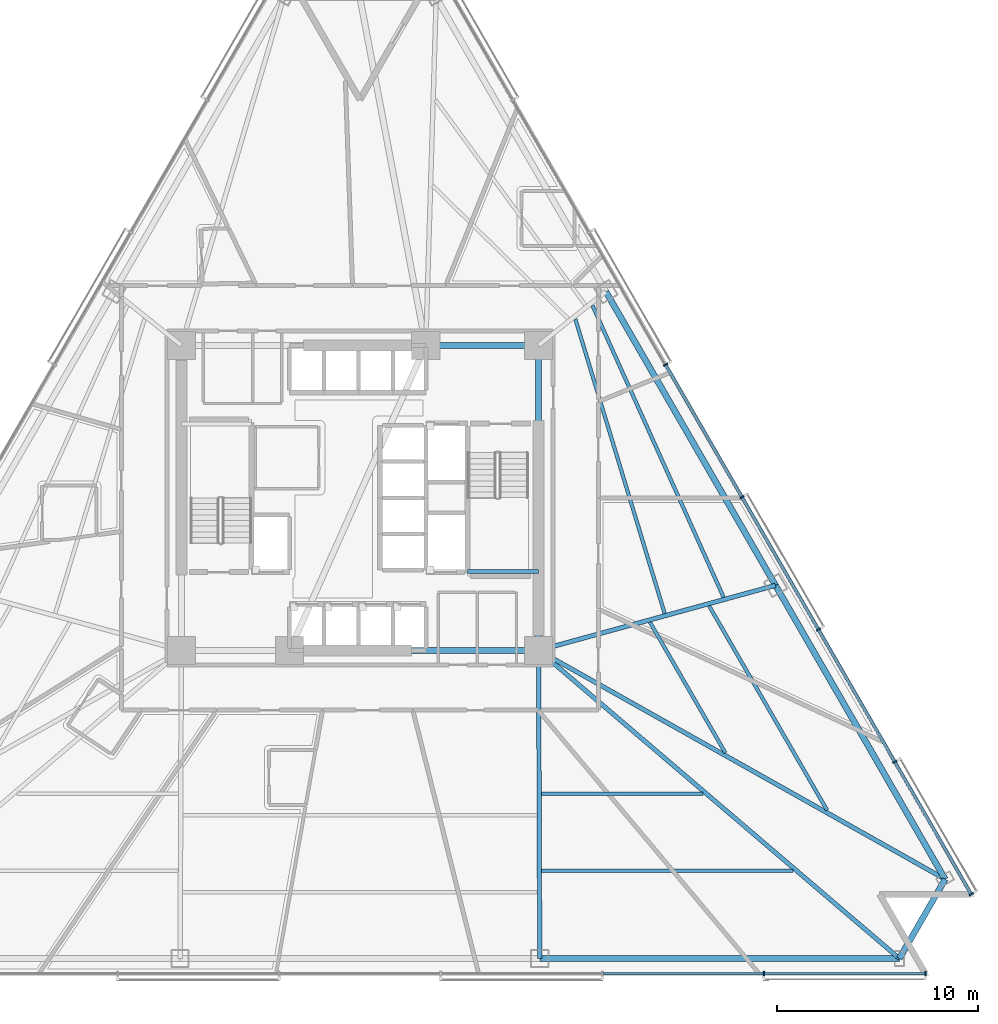
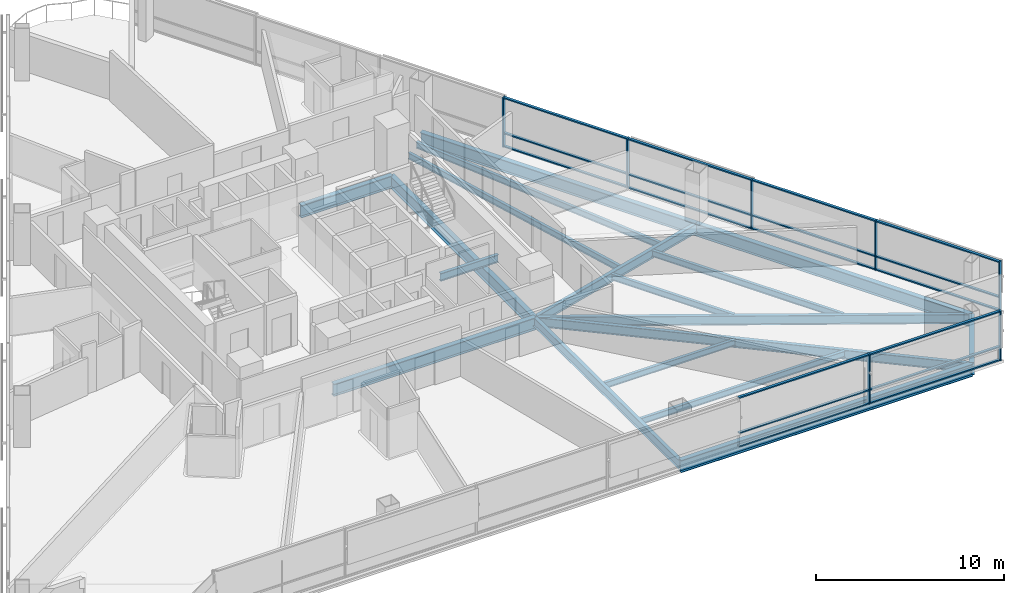
# One storey, part 4 of 16: 25 members, 18 beams, 2 elements without a shape of their own.
"""IFC4 building model written with IfcOpenShell, lengths in metres."""

from ifc_helpers import new_model, si_unit, direction, frame, origin, origin_2d, place, context, subcontext, project, spatial, rectangle, i_section, extrude, material, layer, layer_set, material_profile, profile_set, type_object, element, aggregate, save


model = new_model("IFC4")

# Units and contexts
model_context = context("Model", 3, precision=1e-05, world=origin(), true_north=direction((0.0, 1.0)))
body_context = subcontext(model_context, "Body", "Model", "MODEL_VIEW")
ifc_project = project(units=[si_unit("LENGTHUNIT", "METRE"), si_unit("AREAUNIT", "SQUARE_METRE"), si_unit("VOLUMEUNIT", "CUBIC_METRE"), si_unit("PLANEANGLEUNIT", "RADIAN"), si_unit("MASSUNIT", "GRAM", prefix="KILO")], contexts=[model_context])

# Site, building, storey
site_placement = place(None, origin())
site = spatial("IfcSite", under=ifc_project, at=site_placement, CompositionType="ELEMENT")
building_placement = place(site_placement, origin())
building = spatial("IfcBuilding", under=site, at=building_placement, Name="Tharavind Bronze Gate", CompositionType="ELEMENT")
storey_placement = place(building_placement, frame((0.0, 0.0, 42.050048828125)))
storey = spatial("IfcBuildingStorey", under=building, at=storey_placement, Name="L09", CompositionType="ELEMENT", Elevation=42.050048828125)

# Curtain wall, members
ifc_material_1 = material(Name="Anodised Bronze Aluminium", Category="aluminium")
ifc_layer = layer(ifc_material_1, 0.219970703125)
ifc_layer_set = layer_set([ifc_layer], Name="Anodised Bronze Aluminium")
curtain_wall_type = type_object("IfcCurtainWallType", Name="UNITISED CURTAIN WALL HOTEL", PredefinedType="USERDEFINED", material=ifc_layer_set)
curtain_wall_1_placement = place(storey_placement, origin())
curtain_wall_1 = element("IfcCurtainWall", 1, at=curtain_wall_1_placement, inside=storey, type_object=curtain_wall_type, Name="L09 unitised curtain wall hotel CW-L09-S2", ObjectType="UNITISED CURTAIN WALL", PredefinedType="USERDEFINED")
member_type_1 = type_object("IfcMemberType", Name="CURTAIN WALL MULLION 80X220", PredefinedType="MULLION", material=ifc_material_1)
member_1_placement = place(storey_placement, frame((20.12548828125, -23.699951171875, 0.0), z_axis=(0.0, 0.0, 1.0), x_axis=(1.0, 0.0, 0.0)))
member_1 = element("IfcMember", 2, at=member_1_placement, type_object=member_type_1, Name="CW-L09-S2 mullion 7", PredefinedType="MULLION", context=body_context, shape_type="SweptSolid", body=[
    extrude(rectangle(XDim=0.080078125, YDim=0.219970703125, at=origin_2d()), origin(), (0.0, 0.0, 1.0), 3.22509765625),
])
member_2_placement = place(storey_placement, frame((28.17578125, -23.699951171875, 0.0), z_axis=(0.0, 0.0, 1.0), x_axis=(1.0, 0.0, 0.0)))
member_2 = element("IfcMember", 3, at=member_2_placement, type_object=member_type_1, Name="CW-L09-S2 mullion 8", PredefinedType="MULLION", context=body_context, shape_type="SweptSolid", body=[
    extrude(rectangle(XDim=0.080078125, YDim=0.219970703125, at=origin_2d()), origin(), (0.0, 0.0, 1.0), 3.22509765625),
])

curtain_wall_2_placement = place(storey_placement, origin())
curtain_wall_2 = element("IfcCurtainWall", 4, at=curtain_wall_2_placement, inside=storey, type_object=curtain_wall_type, Name="L09 unitised curtain wall hotel CW-L09-S3", ObjectType="UNITISED CURTAIN WALL", PredefinedType="USERDEFINED")
member_3_placement = place(storey_placement, frame((30.455810546875, -19.7509765625, 0.0), z_axis=(0.0, 0.0, 1.0), x_axis=(-0.500001511499, 0.866024531118, 0.0)))
member_3 = element("IfcMember", 5, at=member_3_placement, type_object=member_type_1, Name="CW-L09-S3 mullion 1", PredefinedType="MULLION", context=body_context, shape_type="SweptSolid", body=[
    extrude(rectangle(XDim=0.080078125, YDim=0.219970703125, at=origin_2d()), origin(), (0.0, 0.0, 1.0), 3.22509765625),
])
member_4_placement = place(storey_placement, frame((26.647705078125, -13.1552734375, 0.0), z_axis=(0.0, 0.0, 1.0), x_axis=(-0.500001511499, 0.866024531118, 0.0)))
member_4 = element("IfcMember", 6, at=member_4_placement, type_object=member_type_1, Name="CW-L09-S3 mullion 2", PredefinedType="MULLION", context=body_context, shape_type="SweptSolid", body=[
    extrude(rectangle(XDim=0.080078125, YDim=0.219970703125, at=origin_2d()), origin(), (0.0, 0.0, 1.0), 3.22509765625),
])
member_5_placement = place(storey_placement, frame((22.83984375, -6.559814453125, 0.0), z_axis=(0.0, 0.0, 1.0), x_axis=(-0.500001511499, 0.866024531118, 0.0)))
member_5 = element("IfcMember", 7, at=member_5_placement, type_object=member_type_1, Name="CW-L09-S3 mullion 3", PredefinedType="MULLION", context=body_context, shape_type="SweptSolid", body=[
    extrude(rectangle(XDim=0.080078125, YDim=0.219970703125, at=origin_2d()), origin(), (0.0, 0.0, 1.0), 3.22509765625),
])
member_6_placement = place(storey_placement, frame((19.031982421875, 0.035888671875, 0.0), z_axis=(0.0, 0.0, 1.0), x_axis=(-0.500001511499, 0.866024531118, 0.0)))
member_6 = element("IfcMember", 8, at=member_6_placement, type_object=member_type_1, Name="CW-L09-S3 mullion 4", PredefinedType="MULLION", context=body_context, shape_type="SweptSolid", body=[
    extrude(rectangle(XDim=0.080078125, YDim=0.219970703125, at=origin_2d()), origin(), (0.0, 0.0, 1.0), 3.22509765625),
])
member_7_placement = place(storey_placement, frame((15.223876953125, 6.63134765625, 0.0), z_axis=(0.0, 0.0, 1.0), x_axis=(-0.500001511499, 0.866024531118, 0.0)))
member_7 = element("IfcMember", 9, at=member_7_placement, type_object=member_type_1, Name="CW-L09-S3 mullion 5", PredefinedType="MULLION", context=body_context, shape_type="SweptSolid", body=[
    extrude(rectangle(XDim=0.080078125, YDim=0.219970703125, at=origin_2d()), origin(), (0.0, 0.0, 1.0), 3.22509765625),
])

# Member
member_type_2 = type_object("IfcMemberType", Name="CURTAIN WALL TRANSOM 80X160", PredefinedType="USERDEFINED", material=ifc_material_1)
member_8_placement = place(storey_placement, frame((16.1005859375, -23.699951171875, 0.0), z_axis=(0.0, 0.0, 1.0), x_axis=(1.0, 0.0, 0.0)))
member_8 = element("IfcMember", 10, at=member_8_placement, type_object=member_type_2, Name="CW-L09-S2 transom TB6", ObjectType="TRANSOM", PredefinedType="USERDEFINED", context=body_context, shape_type="SweptSolid", body=[
    extrude(rectangle(XDim=7.982177734375, YDim=0.159912109375, at=origin_2d()), origin(), (0.0, 0.0, 1.0), 0.080078125),
])

member_9_placement = place(storey_placement, frame((16.1005859375, -23.699951171875, 0.85986328125), z_axis=(0.0, 0.0, 1.0), x_axis=(1.0, 0.0, 0.0)))
member_9 = element("IfcMember", 11, at=member_9_placement, type_object=member_type_2, Name="CW-L09-S2 transom TS6", ObjectType="TRANSOM", PredefinedType="USERDEFINED", context=body_context, shape_type="SweptSolid", body=[
    extrude(rectangle(XDim=7.982177734375, YDim=0.159912109375, at=origin_2d()), origin(), (0.0, 0.0, 1.0), 0.080078125),
])

member_10_placement = place(storey_placement, frame((16.1005859375, -23.699951171875, 3.14501953125), z_axis=(0.0, 0.0, 1.0), x_axis=(1.0, 0.0, 0.0)))
member_10 = element("IfcMember", 12, at=member_10_placement, type_object=member_type_2, Name="CW-L09-S2 transom TT6", ObjectType="TRANSOM", PredefinedType="USERDEFINED", context=body_context, shape_type="SweptSolid", body=[
    extrude(rectangle(XDim=7.982177734375, YDim=0.159912109375, at=origin_2d()), origin(), (0.0, 0.0, 1.0), 0.080078125),
])

member_11_placement = place(storey_placement, frame((24.150634765625, -23.699951171875, 0.0), z_axis=(0.0, 0.0, 1.0), x_axis=(1.0, 0.0, 0.0)))
member_11 = element("IfcMember", 13, at=member_11_placement, type_object=member_type_2, Name="CW-L09-S2 transom TB7", ObjectType="TRANSOM", PredefinedType="USERDEFINED", context=body_context, shape_type="SweptSolid", body=[
    extrude(rectangle(XDim=7.982177734375, YDim=0.159912109375, at=origin_2d()), origin(), (0.0, 0.0, 1.0), 0.080078125),
])

member_12_placement = place(storey_placement, frame((24.150634765625, -23.699951171875, 0.85986328125), z_axis=(0.0, 0.0, 1.0), x_axis=(1.0, 0.0, 0.0)))
member_12 = element("IfcMember", 14, at=member_12_placement, type_object=member_type_2, Name="CW-L09-S2 transom TS7", ObjectType="TRANSOM", PredefinedType="USERDEFINED", context=body_context, shape_type="SweptSolid", body=[
    extrude(rectangle(XDim=7.982177734375, YDim=0.159912109375, at=origin_2d()), origin(), (0.0, 0.0, 1.0), 0.080078125),
])

member_13_placement = place(storey_placement, frame((24.150634765625, -23.699951171875, 3.14501953125), z_axis=(0.0, 0.0, 1.0), x_axis=(1.0, 0.0, 0.0)))
member_13 = element("IfcMember", 15, at=member_13_placement, type_object=member_type_2, Name="CW-L09-S2 transom TT7", ObjectType="TRANSOM", PredefinedType="USERDEFINED", context=body_context, shape_type="SweptSolid", body=[
    extrude(rectangle(XDim=7.982177734375, YDim=0.159912109375, at=origin_2d()), origin(), (0.0, 0.0, 1.0), 0.080078125),
])

aggregate(curtain_wall_1, [member_1, member_2, member_8, member_9, member_10, member_11, member_12, member_13])

member_14_placement = place(storey_placement, frame((28.5517578125, -16.453125, 0.0), z_axis=(0.0, 0.0, 1.0), x_axis=(-0.500001511499, 0.866024531118, 0.0)))
member_14 = element("IfcMember", 16, at=member_14_placement, type_object=member_type_2, Name="CW-L09-S3 transom TB1", ObjectType="TRANSOM", PredefinedType="USERDEFINED", context=body_context, shape_type="SweptSolid", body=[
    extrude(rectangle(XDim=7.5478515625, YDim=0.159912109375, at=origin_2d()), origin(), (0.0, 0.0, 1.0), 0.080078125),
])

member_15_placement = place(storey_placement, frame((28.5517578125, -16.453125, 0.85986328125), z_axis=(0.0, 0.0, 1.0), x_axis=(-0.500001511499, 0.866024531118, 0.0)))
member_15 = element("IfcMember", 17, at=member_15_placement, type_object=member_type_2, Name="CW-L09-S3 transom TS1", ObjectType="TRANSOM", PredefinedType="USERDEFINED", context=body_context, shape_type="SweptSolid", body=[
    extrude(rectangle(XDim=7.5478515625, YDim=0.159912109375, at=origin_2d()), origin(), (0.0, 0.0, 1.0), 0.080078125),
])

member_16_placement = place(storey_placement, frame((28.5517578125, -16.453125, 3.14501953125), z_axis=(0.0, 0.0, 1.0), x_axis=(-0.500001511499, 0.866024531118, 0.0)))
member_16 = element("IfcMember", 18, at=member_16_placement, type_object=member_type_2, Name="CW-L09-S3 transom TT1", ObjectType="TRANSOM", PredefinedType="USERDEFINED", context=body_context, shape_type="SweptSolid", body=[
    extrude(rectangle(XDim=7.5478515625, YDim=0.159912109375, at=origin_2d()), origin(), (0.0, 0.0, 1.0), 0.080078125),
])

member_17_placement = place(storey_placement, frame((24.743896484375, -9.857421875, 0.0), z_axis=(0.0, 0.0, 1.0), x_axis=(-0.500001511499, 0.866024531118, 0.0)))
member_17 = element("IfcMember", 19, at=member_17_placement, type_object=member_type_2, Name="CW-L09-S3 transom TB2", ObjectType="TRANSOM", PredefinedType="USERDEFINED", context=body_context, shape_type="SweptSolid", body=[
    extrude(rectangle(XDim=7.5478515625, YDim=0.159912109375, at=origin_2d()), origin(), (0.0, 0.0, 1.0), 0.080078125),
])

member_18_placement = place(storey_placement, frame((24.743896484375, -9.857421875, 0.85986328125), z_axis=(0.0, 0.0, 1.0), x_axis=(-0.500001511499, 0.866024531118, 0.0)))
member_18 = element("IfcMember", 20, at=member_18_placement, type_object=member_type_2, Name="CW-L09-S3 transom TS2", ObjectType="TRANSOM", PredefinedType="USERDEFINED", context=body_context, shape_type="SweptSolid", body=[
    extrude(rectangle(XDim=7.5478515625, YDim=0.159912109375, at=origin_2d()), origin(), (0.0, 0.0, 1.0), 0.080078125),
])

member_19_placement = place(storey_placement, frame((24.743896484375, -9.857421875, 3.14501953125), z_axis=(0.0, 0.0, 1.0), x_axis=(-0.500001511499, 0.866024531118, 0.0)))
member_19 = element("IfcMember", 21, at=member_19_placement, type_object=member_type_2, Name="CW-L09-S3 transom TT2", ObjectType="TRANSOM", PredefinedType="USERDEFINED", context=body_context, shape_type="SweptSolid", body=[
    extrude(rectangle(XDim=7.5478515625, YDim=0.159912109375, at=origin_2d()), origin(), (0.0, 0.0, 1.0), 0.080078125),
])

member_20_placement = place(storey_placement, frame((20.935791015625, -3.261962890625, 0.0), z_axis=(0.0, 0.0, 1.0), x_axis=(-0.500001511499, 0.866024531118, 0.0)))
member_20 = element("IfcMember", 22, at=member_20_placement, type_object=member_type_2, Name="CW-L09-S3 transom TB3", ObjectType="TRANSOM", PredefinedType="USERDEFINED", context=body_context, shape_type="SweptSolid", body=[
    extrude(rectangle(XDim=7.5478515625, YDim=0.159912109375, at=origin_2d()), origin(), (0.0, 0.0, 1.0), 0.080078125),
])

member_21_placement = place(storey_placement, frame((20.935791015625, -3.261962890625, 0.85986328125), z_axis=(0.0, 0.0, 1.0), x_axis=(-0.500001511499, 0.866024531118, 0.0)))
member_21 = element("IfcMember", 23, at=member_21_placement, type_object=member_type_2, Name="CW-L09-S3 transom TS3", ObjectType="TRANSOM", PredefinedType="USERDEFINED", context=body_context, shape_type="SweptSolid", body=[
    extrude(rectangle(XDim=7.5478515625, YDim=0.159912109375, at=origin_2d()), origin(), (0.0, 0.0, 1.0), 0.080078125),
])

member_22_placement = place(storey_placement, frame((20.935791015625, -3.261962890625, 3.14501953125), z_axis=(0.0, 0.0, 1.0), x_axis=(-0.500001511499, 0.866024531118, 0.0)))
member_22 = element("IfcMember", 24, at=member_22_placement, type_object=member_type_2, Name="CW-L09-S3 transom TT3", ObjectType="TRANSOM", PredefinedType="USERDEFINED", context=body_context, shape_type="SweptSolid", body=[
    extrude(rectangle(XDim=7.5478515625, YDim=0.159912109375, at=origin_2d()), origin(), (0.0, 0.0, 1.0), 0.080078125),
])

member_23_placement = place(storey_placement, frame((17.1279296875, 3.33349609375, 0.0), z_axis=(0.0, 0.0, 1.0), x_axis=(-0.500001511499, 0.866024531118, 0.0)))
member_23 = element("IfcMember", 25, at=member_23_placement, type_object=member_type_2, Name="CW-L09-S3 transom TB4", ObjectType="TRANSOM", PredefinedType="USERDEFINED", context=body_context, shape_type="SweptSolid", body=[
    extrude(rectangle(XDim=7.5478515625, YDim=0.159912109375, at=origin_2d()), origin(), (0.0, 0.0, 1.0), 0.080078125),
])

member_24_placement = place(storey_placement, frame((17.1279296875, 3.33349609375, 0.85986328125), z_axis=(0.0, 0.0, 1.0), x_axis=(-0.500001511499, 0.866024531118, 0.0)))
member_24 = element("IfcMember", 26, at=member_24_placement, type_object=member_type_2, Name="CW-L09-S3 transom TS4", ObjectType="TRANSOM", PredefinedType="USERDEFINED", context=body_context, shape_type="SweptSolid", body=[
    extrude(rectangle(XDim=7.5478515625, YDim=0.159912109375, at=origin_2d()), origin(), (0.0, 0.0, 1.0), 0.080078125),
])

member_25_placement = place(storey_placement, frame((17.1279296875, 3.33349609375, 3.14501953125), z_axis=(0.0, 0.0, 1.0), x_axis=(-0.500001511499, 0.866024531118, 0.0)))
member_25 = element("IfcMember", 27, at=member_25_placement, type_object=member_type_2, Name="CW-L09-S3 transom TT4", ObjectType="TRANSOM", PredefinedType="USERDEFINED", context=body_context, shape_type="SweptSolid", body=[
    extrude(rectangle(XDim=7.5478515625, YDim=0.159912109375, at=origin_2d()), origin(), (0.0, 0.0, 1.0), 0.080078125),
])

aggregate(curtain_wall_2, [member_3, member_4, member_5, member_6, member_7, member_14, member_15, member_16, member_17, member_18, member_19, member_20, member_21, member_22, member_23, member_24, member_25])

# Beams
ifc_material_2 = material(Name="Steel S355", Category="steel")
ifc_material_profile_1 = material_profile(ifc_material_2, i_section(OverallWidth=0.199951171875, OverallDepth=0.5, WebThickness=0.01025390625, FlangeThickness=0.01611328125, at=origin_2d()), Name="IPE500")
ifc_profile_set_1 = profile_set([ifc_material_profile_1], Name="Steel S355")
beam_type_1 = type_object("IfcBeamType", Name="PRIMARY GIRDER IPE500", PredefinedType="USERDEFINED", material=ifc_profile_set_1)
beam_1_placement = place(storey_placement, frame((5.35009765625, -3.679931640625, 1.25), z_axis=(1.0, 0.0, 0.0), x_axis=(0.0, 1.0, 0.0)))
element("IfcBeam", 28, at=beam_1_placement, inside=storey, type_object=beam_type_1, Name="L09 primary girder ipe500 BM-LD-ST2-L09-1", ObjectType="GIRDER", PredefinedType="USERDEFINED", context=body_context, shape_type="SweptSolid", body=[
    extrude(i_section(OverallWidth=0.199951171875, OverallDepth=0.5, WebThickness=0.01025390625, FlangeThickness=0.01611328125, at=origin_2d()), origin(), (0.0, 0.0, 1.0), 3.5498046875),
])
ifc_material_profile_2 = material_profile(ifc_material_2, i_section(OverallWidth=0.219970703125, OverallDepth=0.60009765625, WebThickness=0.011962890625, FlangeThickness=0.01904296875, at=origin_2d()), Name="IPE600")
ifc_profile_set_2 = profile_set([ifc_material_profile_2], Name="Steel S355")
beam_type_2 = type_object("IfcBeamType", Name="PRIMARY GIRDER IPE600", PredefinedType="USERDEFINED", material=ifc_profile_set_2)
beam_2_placement = place(storey_placement, frame((8.958984375, -22.949951171875, -0.47509765625), z_axis=(-0.003849000484, 0.99999259257, 0.0), x_axis=(-0.99999259257, -0.003849000484, 0.0)))
element("IfcBeam", 29, at=beam_2_placement, inside=storey, type_object=beam_type_2, Name="L09 primary girder ipe600 BM-L09-RAD07", ObjectType="GIRDER", PredefinedType="USERDEFINED", context=body_context, shape_type="SweptSolid", body=[
    extrude(i_section(OverallWidth=0.219970703125, OverallDepth=0.60009765625, WebThickness=0.011962890625, FlangeThickness=0.01904296875, at=origin_2d()), origin(), (0.0, 0.0, 1.0), 15.349853515625),
])
beam_3_placement = place(storey_placement, frame((26.876708984375, -22.949951171875, -0.47509765625), z_axis=(-0.76048513475, 0.649355341723, 0.0), x_axis=(-0.649355341723, -0.76048513475, 0.0)))
element("IfcBeam", 30, at=beam_3_placement, inside=storey, type_object=beam_type_2, Name="L09 primary girder ipe600 BM-L09-RAD08", ObjectType="GIRDER", PredefinedType="USERDEFINED", context=body_context, shape_type="SweptSolid", body=[
    extrude(i_section(OverallWidth=0.219970703125, OverallDepth=0.60009765625, WebThickness=0.011962890625, FlangeThickness=0.01904296875, at=origin_2d()), origin(), (0.0, 0.0, 1.0), 23.638671875),
])
beam_4_placement = place(storey_placement, frame((29.15673828125, -19.0009765625, -0.47509765625), z_axis=(-0.871457703454, 0.490470662824, 0.0), x_axis=(-0.490470662824, -0.871457703454, 0.0)))
element("IfcBeam", 31, at=beam_4_placement, inside=storey, type_object=beam_type_2, Name="L09 primary girder ipe600 BM-L09-RAD09", ObjectType="GIRDER", PredefinedType="USERDEFINED", context=body_context, shape_type="SweptSolid", body=[
    extrude(i_section(OverallWidth=0.219970703125, OverallDepth=0.60009765625, WebThickness=0.011962890625, FlangeThickness=0.01904296875, at=origin_2d()), origin(), (0.0, 0.0, 1.0), 23.244873046875),
])
beam_5_placement = place(storey_placement, frame((20.70458984375, -4.361083984375, -0.47509765625), z_axis=(-0.96435718827, -0.264603880228, 0.0), x_axis=(0.264603880228, -0.96435718827, 0.0)))
element("IfcBeam", 32, at=beam_5_placement, inside=storey, type_object=beam_type_2, Name="L09 primary girder ipe600 BM-L09-RAD10", ObjectType="GIRDER", PredefinedType="USERDEFINED", context=body_context, shape_type="SweptSolid", body=[
    extrude(i_section(OverallWidth=0.219970703125, OverallDepth=0.60009765625, WebThickness=0.011962890625, FlangeThickness=0.01904296875, at=origin_2d()), origin(), (0.0, 0.0, 1.0), 12.240966796875),
])
ifc_material_profile_3 = material_profile(ifc_material_2, i_section(OverallWidth=0.300048828125, OverallDepth=0.800048828125, WebThickness=0.017578125, FlangeThickness=0.032958984375, at=origin_2d()), Name="HE800B")
ifc_profile_set_3 = profile_set([ifc_material_profile_3], Name="Steel S355")
beam_type_3 = type_object("IfcBeamType", Name="RING GIRDER HE800B", PredefinedType="USERDEFINED", material=ifc_profile_set_3)
beam_6_placement = place(storey_placement, frame((-3.5, -7.60009765625, -0.574951171875), z_axis=(1.0, 0.0, 0.0), x_axis=(0.0, 1.0, 0.0)))
element("IfcBeam", 33, at=beam_6_placement, inside=storey, type_object=beam_type_3, Name="L09 ring girder he800b BM-L09-CR2", ObjectType="GIRDER", PredefinedType="USERDEFINED", context=body_context, shape_type="SweptSolid", body=[
    extrude(i_section(OverallWidth=0.300048828125, OverallDepth=0.800048828125, WebThickness=0.017578125, FlangeThickness=0.032958984375, at=origin_2d()), origin(), (0.0, 0.0, 1.0), 12.39990234375),
])
beam_7_placement = place(storey_placement, frame((8.89990234375, -7.60009765625, -0.574951171875), z_axis=(0.0, 1.0, 0.0), x_axis=(-1.0, 0.0, 0.0)))
element("IfcBeam", 34, at=beam_7_placement, inside=storey, type_object=beam_type_3, Name="L09 ring girder he800b BM-L09-CR3", ObjectType="GIRDER", PredefinedType="USERDEFINED", context=body_context, shape_type="SweptSolid", body=[
    extrude(i_section(OverallWidth=0.300048828125, OverallDepth=0.800048828125, WebThickness=0.017578125, FlangeThickness=0.032958984375, at=origin_2d()), origin(), (0.0, 0.0, 1.0), 15.2001953125),
])
beam_8_placement = place(storey_placement, frame((8.89990234375, 7.60009765625, -0.574951171875), z_axis=(-1.0, 0.0, 0.0), x_axis=(0.0, -1.0, 0.0)))
element("IfcBeam", 35, at=beam_8_placement, inside=storey, type_object=beam_type_3, Name="L09 ring girder he800b BM-L09-CR4", ObjectType="GIRDER", PredefinedType="USERDEFINED", context=body_context, shape_type="SweptSolid", body=[
    extrude(i_section(OverallWidth=0.300048828125, OverallDepth=0.800048828125, WebThickness=0.017578125, FlangeThickness=0.032958984375, at=origin_2d()), origin(), (0.0, 0.0, 1.0), 5.619873046875),
])
beam_9_placement = place(storey_placement, frame((8.958984375, -22.949951171875, -0.574951171875), z_axis=(1.0, 0.0, 0.0), x_axis=(0.0, 1.0, 0.0)))
element("IfcBeam", 36, at=beam_9_placement, inside=storey, type_object=beam_type_3, Name="L09 ring girder he800b BM-L09-PRG07", ObjectType="GIRDER", PredefinedType="USERDEFINED", context=body_context, shape_type="SweptSolid", body=[
    extrude(i_section(OverallWidth=0.300048828125, OverallDepth=0.800048828125, WebThickness=0.017578125, FlangeThickness=0.032958984375, at=origin_2d()), origin(), (0.0, 0.0, 1.0), 17.917724609375),
])
beam_10_placement = place(storey_placement, frame((26.876708984375, -22.949951171875, -0.574951171875), z_axis=(0.500014431597, 0.866017071537, 0.0), x_axis=(-0.866017071537, 0.500014431597, 0.0)))
element("IfcBeam", 37, at=beam_10_placement, inside=storey, type_object=beam_type_3, Name="L09 ring girder he800b BM-L09-PRG08", ObjectType="GIRDER", PredefinedType="USERDEFINED", context=body_context, shape_type="SweptSolid", body=[
    extrude(i_section(OverallWidth=0.300048828125, OverallDepth=0.800048828125, WebThickness=0.017578125, FlangeThickness=0.032958984375, at=origin_2d()), origin(), (0.0, 0.0, 1.0), 4.559814453125),
])
for number, where, z_axis, x_axis, name in (
    (38, (29.15673828125, -19.0009765625, -0.574951171875), (-0.4999912383, 0.866030462295, 0.0), (-0.866030462295, -0.4999912383, 0.0), "L09 ring girder he800b BM-L09-PRG09"),
    (39, (20.70458984375, -4.361083984375, -0.574951171875), (-0.50000832373, 0.866020598023, 0.0), (-0.866020598023, -0.50000832373, 0.0), "L09 ring girder he800b BM-L09-PRG10"),
):
    element("IfcBeam", number, at=place(storey_placement, frame(where, z_axis=z_axis, x_axis=x_axis)), inside=storey, type_object=beam_type_3, Name=name, ObjectType="GIRDER", PredefinedType="USERDEFINED", context=body_context, shape_type="SweptSolid", body=[
        extrude(i_section(OverallWidth=0.300048828125, OverallDepth=0.800048828125, WebThickness=0.017578125, FlangeThickness=0.032958984375, at=origin_2d()), origin(), (0.0, 0.0, 1.0), 16.904541015625),
    ])
ifc_material_profile_4 = material_profile(ifc_material_2, i_section(OverallWidth=0.179931640625, OverallDepth=0.39990234375, WebThickness=0.008544921875, FlangeThickness=0.013427734375, at=origin_2d()), Name="IPE400")
ifc_profile_set_4 = profile_set([ifc_material_profile_4], Name="Steel S355")
beam_type_4 = type_object("IfcBeamType", Name="SECONDARY FLOOR JOIST IPE400", PredefinedType="JOIST", material=ifc_profile_set_4)
beam_11_placement = place(storey_placement, frame((9.04150390625, -14.73779296875, -0.375), z_axis=(1.0, 0.0, 0.0), x_axis=(0.0, 1.0, 0.0)))
element("IfcBeam", 40, at=beam_11_placement, inside=storey, type_object=beam_type_4, Name="L09 secondary floor joist ipe400 BM-L09-JSTA07", PredefinedType="JOIST", context=body_context, shape_type="SweptSolid", body=[
    extrude(i_section(OverallWidth=0.179931640625, OverallDepth=0.39990234375, WebThickness=0.008544921875, FlangeThickness=0.013427734375, at=origin_2d()), origin(), (0.0, 0.0, 1.0), 8.044189453125),
])
beam_12_placement = place(storey_placement, frame((9.05615234375, -18.5751953125, -0.375), z_axis=(1.0, 0.0, 0.0), x_axis=(0.0, 1.0, 0.0)))
element("IfcBeam", 41, at=beam_12_placement, inside=storey, type_object=beam_type_4, Name="L09 secondary floor joist ipe400 BM-L09-JSTB07", PredefinedType="JOIST", context=body_context, shape_type="SweptSolid", body=[
    extrude(i_section(OverallWidth=0.179931640625, OverallDepth=0.39990234375, WebThickness=0.008544921875, FlangeThickness=0.013427734375, at=origin_2d()), origin(), (0.0, 0.0, 1.0), 12.52392578125),
])
beam_13_placement = place(storey_placement, frame((18.20947265625, -12.7109375, -0.375), z_axis=(-0.499995879736, 0.866027782607, 0.0), x_axis=(-0.866027782607, -0.499995879736, 0.0)))
element("IfcBeam", 42, at=beam_13_placement, inside=storey, type_object=beam_type_4, Name="L09 secondary floor joist ipe400 BM-L09-JSTA09", PredefinedType="JOIST", context=body_context, shape_type="SweptSolid", body=[
    extrude(i_section(OverallWidth=0.179931640625, OverallDepth=0.39990234375, WebThickness=0.008544921875, FlangeThickness=0.013427734375, at=origin_2d()), origin(), (0.0, 0.0, 1.0), 7.52294921875),
])
beam_14_placement = place(storey_placement, frame((23.273681640625, -15.561279296875, -0.375), z_axis=(-0.499996459651, 0.866027447796, 0.0), x_axis=(-0.866027447796, -0.499996459651, 0.0)))
element("IfcBeam", 43, at=beam_14_placement, inside=storey, type_object=beam_type_4, Name="L09 secondary floor joist ipe400 BM-L09-JSTB09", PredefinedType="JOIST", context=body_context, shape_type="SweptSolid", body=[
    extrude(i_section(OverallWidth=0.179931640625, OverallDepth=0.39990234375, WebThickness=0.008544921875, FlangeThickness=0.013427734375, at=origin_2d()), origin(), (0.0, 0.0, 1.0), 11.7490234375),
])
beam_15_placement = place(storey_placement, frame((15.182373046875, -5.758056640625, -0.375), z_axis=(-0.290410798392, 0.956902068227, 0.0), x_axis=(-0.956902068227, -0.290410798392, 0.0)))
element("IfcBeam", 44, at=beam_15_placement, inside=storey, type_object=beam_type_4, Name="L09 secondary floor joist ipe400 BM-L09-JSTA10", PredefinedType="JOIST", context=body_context, shape_type="SweptSolid", body=[
    extrude(i_section(OverallWidth=0.179931640625, OverallDepth=0.39990234375, WebThickness=0.008544921875, FlangeThickness=0.013427734375, at=origin_2d()), origin(), (0.0, 0.0, 1.0), 15.334716796875),
])
beam_16_placement = place(storey_placement, frame((18.119140625, -4.952392578125, -0.375), z_axis=(-0.40998786392, 0.91209097761, 0.0), x_axis=(-0.91209097761, -0.40998786392, 0.0)))
element("IfcBeam", 45, at=beam_16_placement, inside=storey, type_object=beam_type_4, Name="L09 secondary floor joist ipe400 BM-L09-JSTB10", PredefinedType="JOIST", context=body_context, shape_type="SweptSolid", body=[
    extrude(i_section(OverallWidth=0.179931640625, OverallDepth=0.39990234375, WebThickness=0.008544921875, FlangeThickness=0.013427734375, at=origin_2d()), origin(), (0.0, 0.0, 1.0), 15.949951171875),
])

save(model, "model.ifc")
